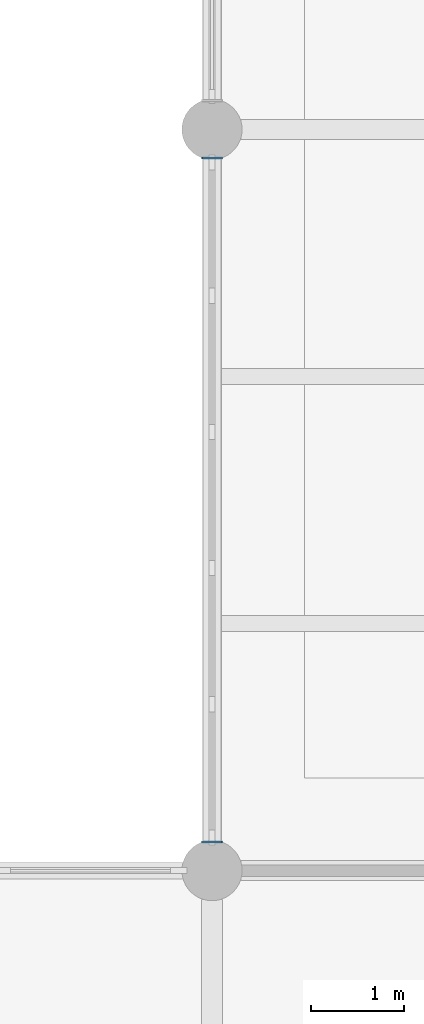
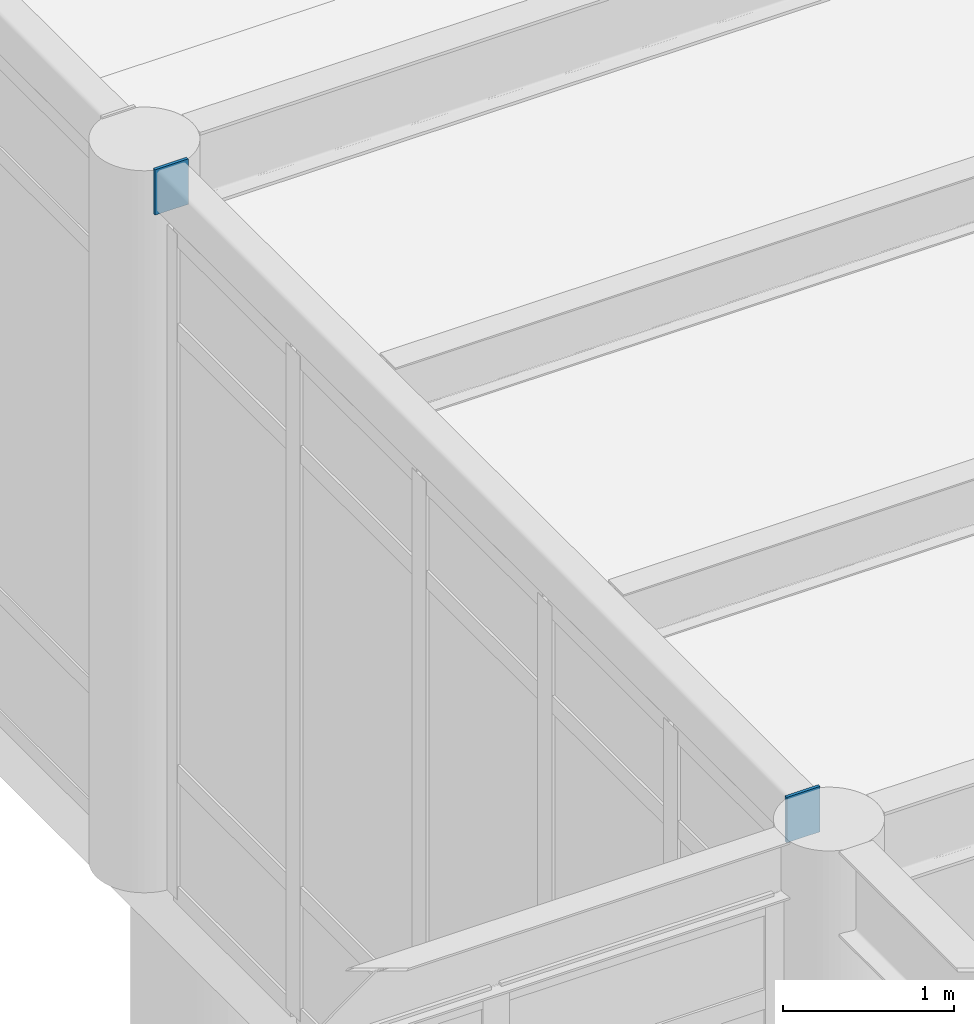
# One storey, part 98 of 138: 2 discrete accessories.
"""IFC4 building model written with IfcOpenShell, lengths in metres."""

from ifc_helpers import new_model, si_unit, direction, frame, origin, origin_2d, place, context, subcontext, project, spatial, rectangle, extrude, material, layer, layer_set, type_object, element, save


model = new_model("IFC4")

# Units and contexts
model_context = context("Model", 3, precision=1e-05, world=origin(), true_north=direction((0.0, 1.0)))
body_context = subcontext(model_context, "Body", "Model", "MODEL_VIEW")
ifc_project = project(units=[si_unit("LENGTHUNIT", "METRE"), si_unit("AREAUNIT", "SQUARE_METRE"), si_unit("VOLUMEUNIT", "CUBIC_METRE"), si_unit("PLANEANGLEUNIT", "RADIAN"), si_unit("MASSUNIT", "GRAM", prefix="KILO")], contexts=[model_context])

# Site, building, storey
site_placement = place(None, origin())
site = spatial("IfcSite", under=ifc_project, at=site_placement, CompositionType="ELEMENT")
building_placement = place(site_placement, origin())
building = spatial("IfcBuilding", under=site, at=building_placement, Name="Kranzveld Transit Interchange", CompositionType="ELEMENT")
storey_placement = place(building_placement, origin())
storey = spatial("IfcBuildingStorey", under=building, at=storey_placement, Name="L00", CompositionType="ELEMENT", Elevation=0.0)

# Discrete accessories
ifc_material = material(Name="Steel S355JR", Category="steel")
ifc_layer = layer(ifc_material, 0.02001953125)
ifc_layer_set = layer_set([ifc_layer], Name="Steel S355JR")
discrete_accessory_type = type_object("IfcDiscreteAccessoryType", Name="Hollow Section End Cap Bracket 20 S355JR", PredefinedType="BRACKET", material=ifc_layer_set)
for number, where, z_axis, x_axis, name in (
    (1, (58.800048828125, 56.319091796875, 5.0), (0.0, -1.0, 0.0), (1.0, 0.0, 0.0), "Hollow Section End Cap SP-RHS300-1"),
    (2, (58.800048828125, 63.680908203125, 5.0), (0.0, 1.0, 0.0), (-1.0, 0.0, 0.0), "Hollow Section End Cap SP-RHS300-2"),
):
    element("IfcDiscreteAccessory", number, at=place(storey_placement, frame(where, z_axis=z_axis, x_axis=x_axis)), inside=storey, type_object=discrete_accessory_type, Name=name, PredefinedType="BRACKET", context=body_context, shape_type="SweptSolid", body=[
        extrude(rectangle(XDim=0.22412109375, YDim=0.323974609375, at=origin_2d()), origin(), (0.0, 0.0, 1.0), 0.02001953125),
    ])

save(model, "model.ifc")
